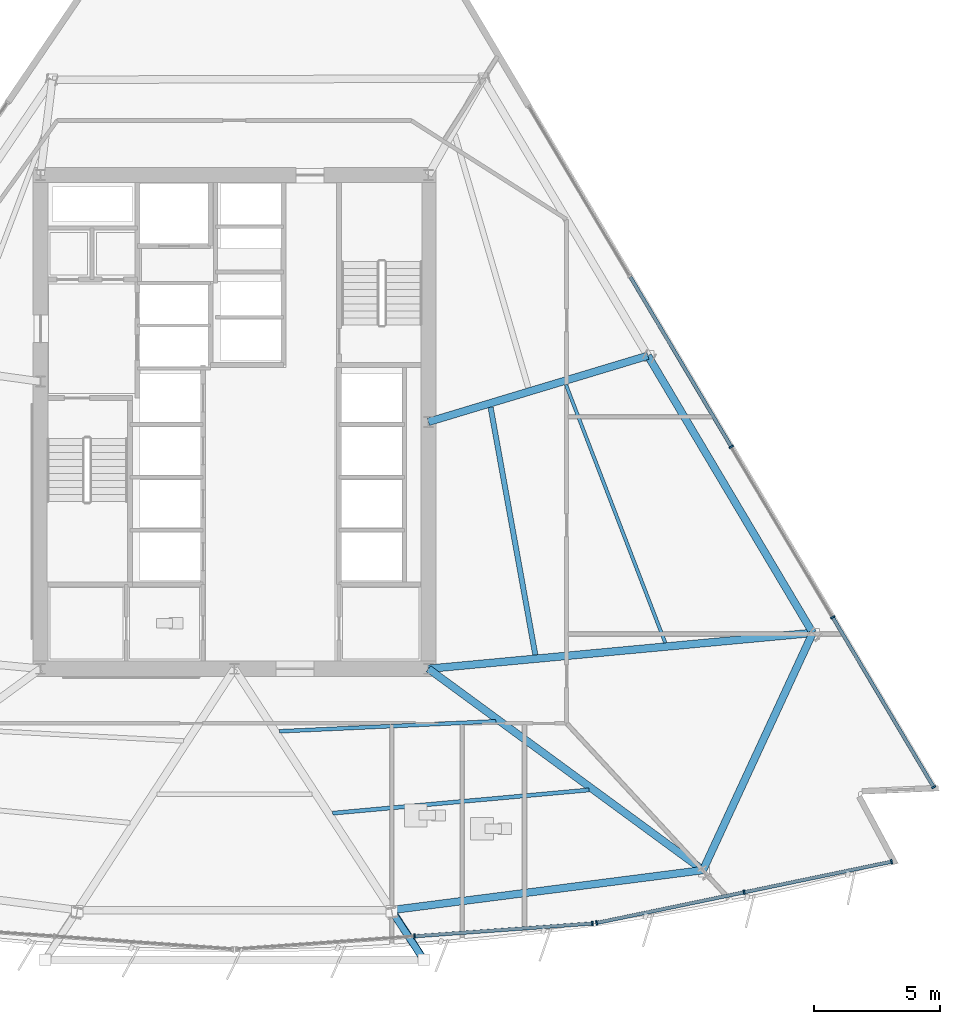
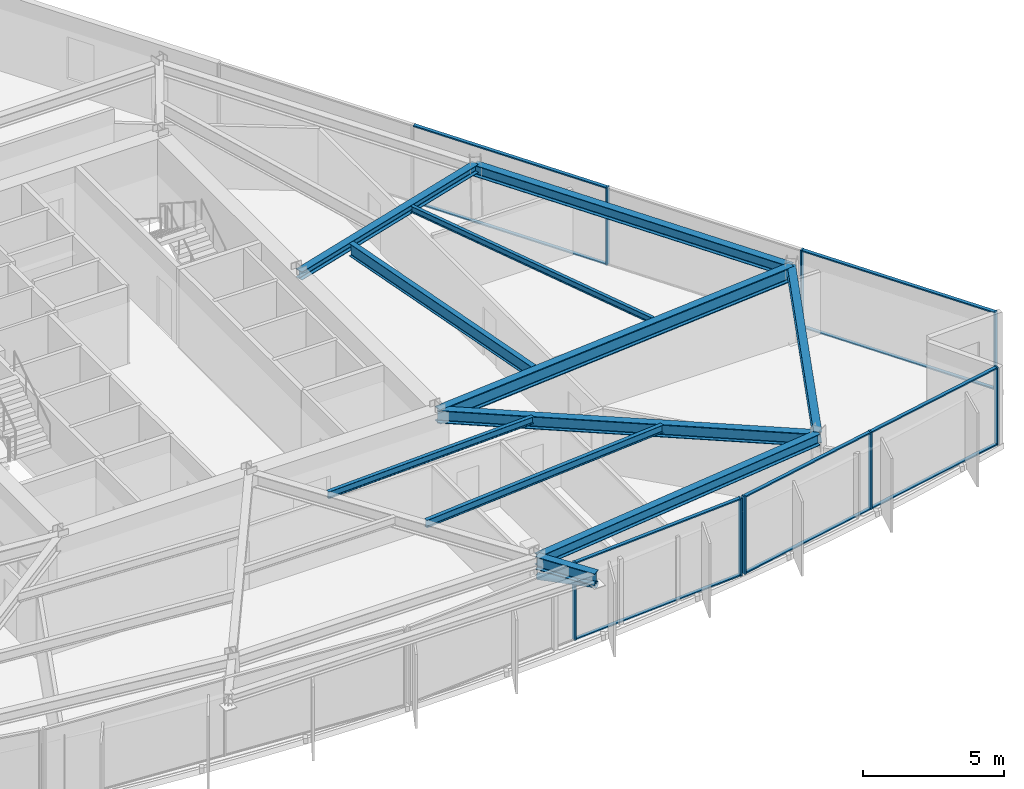
# One storey, part 4 of 15: 19 members, 11 beams, 3 elements without a shape of their own.
"""IFC4 building model written with IfcOpenShell, lengths in metres."""

from ifc_helpers import new_model, si_unit, direction, frame, origin, origin_2d, place, context, subcontext, project, spatial, rectangle, hollow_circle, i_section, extrude, material, material_profile, profile_set, type_object, element, aggregate, save


model = new_model("IFC4")

# Units and contexts
model_context = context("Model", 3, precision=1e-05, world=origin(), true_north=direction((0.0, 1.0)))
body_context = subcontext(model_context, "Body", "Model", "MODEL_VIEW")
ifc_project = project(units=[si_unit("LENGTHUNIT", "METRE"), si_unit("AREAUNIT", "SQUARE_METRE"), si_unit("VOLUMEUNIT", "CUBIC_METRE"), si_unit("PLANEANGLEUNIT", "RADIAN"), si_unit("MASSUNIT", "GRAM", prefix="KILO")], contexts=[model_context])

# Site, building, storey
site_placement = place(None, origin())
site = spatial("IfcSite", under=ifc_project, at=site_placement, CompositionType="ELEMENT")
building_placement = place(site_placement, origin())
building = spatial("IfcBuilding", under=site, at=building_placement, Name="Savorim Split Tower", CompositionType="ELEMENT")
storey_placement = place(building_placement, frame((0.0, 0.0, 111.300048828125)))
storey = spatial("IfcBuildingStorey", under=building, at=storey_placement, Name="L29", CompositionType="ELEMENT", Elevation=111.300048828125)

# Beams
ifc_material_1 = material(Name="Steel S355", Category="steel")
ifc_material_profile_1 = material_profile(ifc_material_1, i_section(OverallWidth=0.135009765625, OverallDepth=0.27001953125, WebThickness=0.006591796875, FlangeThickness=0.01025390625, FilletRadius=0.014892578125, at=origin_2d()), Name="IPE 270")
ifc_profile_set_1 = profile_set([ifc_material_profile_1], Name="Steel S355")
beam_type_1 = type_object("IfcBeamType", Name="BM-JST-IPE270", PredefinedType="JOIST", material=ifc_profile_set_1)
beam_1_placement = place(storey_placement, frame((17.101806640625, -8.367919921875, 3.21484375), z_axis=(-0.359020799912, 0.933329558747, 0.0), x_axis=(-0.933329558747, -0.359020799912, 0.0)))
element("IfcBeam", 1, at=beam_1_placement, inside=storey, type_object=beam_type_1, Name="L29 Secondary Floor Joist JS-06", PredefinedType="JOIST", context=body_context, shape_type="SweptSolid", body=[
    extrude(i_section(OverallWidth=0.135009765625, OverallDepth=0.27001953125, WebThickness=0.006591796875, FlangeThickness=0.01025390625, FilletRadius=0.014892578125, at=origin_2d()), origin(), (0.0, 0.0, 1.0), 10.9794921875),
])
ifc_material_profile_2 = material_profile(ifc_material_1, i_section(OverallWidth=0.14990234375, OverallDepth=0.300048828125, WebThickness=0.007080078125, FlangeThickness=0.0107421875, FilletRadius=0.014892578125, at=origin_2d()), Name="IPE 300")
ifc_profile_set_2 = profile_set([ifc_material_profile_2], Name="Steel S355")
beam_type_2 = type_object("IfcBeamType", Name="BM-JST-IPE300", PredefinedType="JOIST", material=ifc_profile_set_2)
beam_2_placement = place(storey_placement, frame((1.78076171875, -11.8837890625, 3.199951171875), z_axis=(0.998929560512, 0.046257249535, 0.0), x_axis=(-0.046257249535, 0.998929560512, 0.0)))
element("IfcBeam", 2, at=beam_2_placement, inside=storey, type_object=beam_type_2, Name="L29 Secondary Floor Joist JS-05", PredefinedType="JOIST", context=body_context, shape_type="SweptSolid", body=[
    extrude(i_section(OverallWidth=0.14990234375, OverallDepth=0.300048828125, WebThickness=0.007080078125, FlangeThickness=0.0107421875, FilletRadius=0.014892578125, at=origin_2d()), origin(), (0.0, 0.0, 1.0), 8.60302734375),
])
ifc_material_profile_3 = material_profile(ifc_material_1, i_section(OverallWidth=0.159912109375, OverallDepth=0.330078125, WebThickness=0.007568359375, FlangeThickness=0.011474609375, FilletRadius=0.01806640625, at=origin_2d()), Name="IPE 330")
ifc_profile_set_3 = profile_set([ifc_material_profile_3], Name="Steel S355")
beam_type_3 = type_object("IfcBeamType", Name="BM-JST-IPE330", PredefinedType="JOIST", material=ifc_profile_set_3)
beam_3_placement = place(storey_placement, frame((3.89990234375, -15.134521484375, 3.18505859375), z_axis=(0.995908655856, 0.090365641651, 0.0), x_axis=(-0.090365641651, 0.995908655856, 0.0)))
element("IfcBeam", 3, at=beam_3_placement, inside=storey, type_object=beam_type_3, Name="L29 Secondary Floor Joist JS-04", PredefinedType="JOIST", context=body_context, shape_type="SweptSolid", body=[
    extrude(i_section(OverallWidth=0.159912109375, OverallDepth=0.330078125, WebThickness=0.007568359375, FlangeThickness=0.011474609375, FilletRadius=0.01806640625, at=origin_2d()), origin(), (0.0, 0.0, 1.0), 10.22314453125),
])
ifc_material_profile_4 = material_profile(ifc_material_1, i_section(OverallWidth=0.2099609375, OverallDepth=0.550048828125, WebThickness=0.010986328125, FlangeThickness=0.01708984375, FilletRadius=0.02392578125, at=origin_2d()), Name="IPE 550")
ifc_profile_set_4 = profile_set([ifc_material_profile_4], Name="Steel S355")
beam_type_4 = type_object("IfcBeamType", Name="BM-JST-IPE550", PredefinedType="JOIST", material=ifc_profile_set_4)
beam_4_placement = place(storey_placement, frame((11.943359375, -8.843994140625, 3.074951171875), z_axis=(-0.177822021636, 0.984062664987, 0.0), x_axis=(-0.984062664987, -0.177822021636, 0.0)))
element("IfcBeam", 4, at=beam_4_placement, inside=storey, type_object=beam_type_4, Name="L29 Secondary Floor Joist JS-08", PredefinedType="JOIST", context=body_context, shape_type="SweptSolid", body=[
    extrude(i_section(OverallWidth=0.2099609375, OverallDepth=0.550048828125, WebThickness=0.010986328125, FlangeThickness=0.01708984375, FilletRadius=0.02392578125, at=origin_2d()), origin(), (0.0, 0.0, 1.0), 9.9814453125),
])
ifc_material_profile_5 = material_profile(ifc_material_1, i_section(OverallWidth=0.300048828125, OverallDepth=0.360107421875, WebThickness=0.012451171875, FlangeThickness=0.0224609375, FilletRadius=0.027099609375, at=origin_2d()), Name="HEB 360")
ifc_profile_set_5 = profile_set([ifc_material_profile_5], Name="Steel S355")
beam_type_5 = type_object("IfcBeamType", Name="BM-PRI-HEB360", PredefinedType="BEAM", material=ifc_profile_set_5)
beam_5_placement = place(storey_placement, frame((16.413818359375, 3.027099609375, 3.169921875), z_axis=(-0.957431132795, -0.288661784714, 0.0), x_axis=(0.288661784714, -0.957431132795, 0.0)))
element("IfcBeam", 5, at=beam_5_placement, inside=storey, type_object=beam_type_5, Name="L29 Primary Floor Girder RG-06", PredefinedType="BEAM", context=body_context, shape_type="SweptSolid", body=[
    extrude(i_section(OverallWidth=0.300048828125, OverallDepth=0.360107421875, WebThickness=0.012451171875, FlangeThickness=0.0224609375, FilletRadius=0.027099609375, at=origin_2d()), origin(), (0.0, 0.0, 1.0), 9.101318359375),
])
ifc_material_profile_6 = material_profile(ifc_material_1, i_section(OverallWidth=0.300048828125, OverallDepth=0.550048828125, WebThickness=0.014892578125, FlangeThickness=0.029052734375, FilletRadius=0.027099609375, at=origin_2d()), Name="HEB 550")
ifc_profile_set_6 = profile_set([ifc_material_profile_6], Name="Steel S355")
beam_type_6 = type_object("IfcBeamType", Name="BM-PRI-HEB550", PredefinedType="BEAM", material=ifc_profile_set_6)
beam_6_placement = place(storey_placement, frame((18.60107421875, -17.393798828125, 3.074951171875), z_axis=(-0.806414182543, 0.591351136123, 0.0), x_axis=(-0.591351136123, -0.806414182543, 0.0)))
element("IfcBeam", 6, at=beam_6_placement, inside=storey, type_object=beam_type_6, Name="L29 Primary Floor Girder RG-04", PredefinedType="BEAM", context=body_context, shape_type="SweptSolid", body=[
    extrude(i_section(OverallWidth=0.300048828125, OverallDepth=0.550048828125, WebThickness=0.014892578125, FlangeThickness=0.029052734375, FilletRadius=0.027099609375, at=origin_2d()), origin(), (0.0, 0.0, 1.0), 13.51806640625),
])
beam_7_placement = place(storey_placement, frame((6.234130859375, -18.981689453125, 3.074951171875), z_axis=(0.545411866461, -0.838168178782, 0.0), x_axis=(0.838168178782, 0.545411866461, 0.0)))
element("IfcBeam", 7, at=beam_7_placement, inside=storey, type_object=beam_type_6, Name="L29 Cantilevered Lounge Rib 2", PredefinedType="BEAM", context=body_context, shape_type="SweptSolid", body=[
    extrude(i_section(OverallWidth=0.300048828125, OverallDepth=0.550048828125, WebThickness=0.014892578125, FlangeThickness=0.029052734375, FilletRadius=0.027099609375, at=origin_2d()), origin(), (0.0, 0.0, 1.0), 2.35009765625),
])
ifc_material_2 = material(Name="Steel S460", Category="steel")
ifc_material_profile_7 = material_profile(ifc_material_2, i_section(OverallWidth=0.304931640625, OverallDepth=0.6201171875, WebThickness=0.02099609375, FlangeThickness=0.0400390625, FilletRadius=0.027099609375, at=origin_2d()), Name="HE 600 M")
ifc_profile_set_7 = profile_set([ifc_material_profile_7], Name="Steel S460")
beam_type_7 = type_object("IfcBeamType", Name="BM-PRI-HEM600", PredefinedType="BEAM", material=ifc_profile_set_7)
beam_8_placement = place(storey_placement, frame((22.956787109375, -7.976318359375, 3.0400390625), z_axis=(-0.995675034516, -0.092904389782, 0.0), x_axis=(0.092904389782, -0.995675034516, 0.0)))
element("IfcBeam", 8, at=beam_8_placement, inside=storey, type_object=beam_type_7, Name="L29 Primary Floor Girder RG-05", PredefinedType="BEAM", context=body_context, shape_type="SweptSolid", body=[
    extrude(i_section(OverallWidth=0.304931640625, OverallDepth=0.6201171875, WebThickness=0.02099609375, FlangeThickness=0.0400390625, FilletRadius=0.027099609375, at=origin_2d()), origin(), (0.0, 0.0, 1.0), 15.322998046875),
])
ifc_material_profile_8 = material_profile(ifc_material_1, i_section(OverallWidth=0.300048828125, OverallDepth=0.489990234375, WebThickness=0.011962890625, FlangeThickness=0.02294921875, FilletRadius=0.027099609375, at=origin_2d()), Name="HEA 500")
ifc_profile_set_8 = profile_set([ifc_material_profile_8], Name="Steel S355")
beam_type_8 = type_object("IfcBeamType", Name="BM-SPN-HEA500", PredefinedType="SPANDREL", material=ifc_profile_set_8)
beam_9_placement = place(storey_placement, frame((6.234130859375, -18.981689453125, 3.10498046875), z_axis=(0.991857519325, 0.127352508256, 0.0), x_axis=(-0.127352508256, 0.991857519325, 0.0)))
element("IfcBeam", 9, at=beam_9_placement, inside=storey, type_object=beam_type_8, Name="L29 Perimeter Spandrel Beam 3", PredefinedType="SPANDREL", context=body_context, shape_type="SweptSolid", body=[
    extrude(i_section(OverallWidth=0.300048828125, OverallDepth=0.489990234375, WebThickness=0.011962890625, FlangeThickness=0.02294921875, FilletRadius=0.027099609375, at=origin_2d()), origin(), (0.0, 0.0, 1.0), 12.468505859375),
])
beam_10_placement = place(storey_placement, frame((18.60107421875, -17.393798828125, 3.10498046875), z_axis=(0.419787682511, 0.90762233424, 0.0), x_axis=(-0.90762233424, 0.419787682511, 0.0)))
element("IfcBeam", 10, at=beam_10_placement, inside=storey, type_object=beam_type_8, Name="L29 Perimeter Spandrel Beam 4", PredefinedType="SPANDREL", context=body_context, shape_type="SweptSolid", body=[
    extrude(i_section(OverallWidth=0.300048828125, OverallDepth=0.489990234375, WebThickness=0.011962890625, FlangeThickness=0.02294921875, FilletRadius=0.027099609375, at=origin_2d()), origin(), (0.0, 0.0, 1.0), 10.3759765625),
])
beam_11_placement = place(storey_placement, frame((22.956787109375, -7.976318359375, 3.10498046875), z_axis=(-0.511098240642, 0.859522302452, 0.0), x_axis=(-0.859522302452, -0.511098240642, 0.0)))
element("IfcBeam", 11, at=beam_11_placement, inside=storey, type_object=beam_type_8, Name="L29 Perimeter Spandrel Beam 5", PredefinedType="SPANDREL", context=body_context, shape_type="SweptSolid", body=[
    extrude(i_section(OverallWidth=0.300048828125, OverallDepth=0.489990234375, WebThickness=0.011962890625, FlangeThickness=0.02294921875, FilletRadius=0.027099609375, at=origin_2d()), origin(), (0.0, 0.0, 1.0), 12.8017578125),
])

# Curtain wall, members
ifc_material_3 = material(Name="Dark Ceramic-Fritted Insulated Glass", Category="glass")
curtain_wall_type = type_object("IfcCurtainWallType", Name="CW-TWR-FRIT-A", PredefinedType="NOTDEFINED", material=ifc_material_3)
curtain_wall_1_placement = place(storey_placement, origin())
curtain_wall_1 = element("IfcCurtainWall", 12, at=curtain_wall_1_placement, inside=storey, type_object=curtain_wall_type, Name="L29 Curtain Wall CW-L29-SF3", PredefinedType="NOTDEFINED")
ifc_material_4 = material(Name="Charcoal Anodised Aluminium", Category="aluminium")
ifc_material_profile_9 = material_profile(ifc_material_4, rectangle(XDim=0.179931640625, YDim=0.06494140625, at=origin_2d()), Name="ALU-M 180x65")
ifc_profile_set_9 = profile_set([ifc_material_profile_9], Name="Charcoal Anodised Aluminium")
member_type_1 = type_object("IfcMemberType", Name="CWM-180x65", PredefinedType="MULLION", material=ifc_profile_set_9)
member_1_placement = place(storey_placement, frame((7.14697265625, -20.01806640625, 0.0), z_axis=(0.0, 0.0, 1.0), x_axis=(-0.071557228472, 0.99743649575, 0.0)))
member_1 = element("IfcMember", 13, at=member_1_placement, type_object=member_type_1, Name="CW-02 mullion 2", PredefinedType="MULLION", context=body_context, shape_type="SweptSolid", body=[
    extrude(rectangle(XDim=0.179931640625, YDim=0.06494140625, at=origin_2d()), origin(), (0.0, 0.0, 1.0), 3.349853515625),
])
member_2_placement = place(storey_placement, frame((14.210205078125, -19.511474609375, 0.0), z_axis=(0.0, 0.0, 1.0), x_axis=(-0.071557228472, 0.99743649575, 0.0)))
member_2 = element("IfcMember", 14, at=member_2_placement, type_object=member_type_1, Name="CW-02 mullion 3", PredefinedType="MULLION", context=body_context, shape_type="SweptSolid", body=[
    extrude(rectangle(XDim=0.179931640625, YDim=0.06494140625, at=origin_2d()), origin(), (0.0, 0.0, 1.0), 3.349853515625),
])

curtain_wall_2_placement = place(storey_placement, origin())
curtain_wall_2 = element("IfcCurtainWall", 15, at=curtain_wall_2_placement, inside=storey, type_object=curtain_wall_type, Name="L29 Curtain Wall CW-L29-SF4", PredefinedType="NOTDEFINED")
member_3_placement = place(storey_placement, frame((14.377197265625, -19.48828125, 0.0), z_axis=(0.0, 0.0, 1.0), x_axis=(-0.203214049179, 0.979134337165, 0.0)))
member_3 = element("IfcMember", 16, at=member_3_placement, type_object=member_type_1, Name="CW-02 mullion 1", PredefinedType="MULLION", context=body_context, shape_type="SweptSolid", body=[
    extrude(rectangle(XDim=0.179931640625, YDim=0.06494140625, at=origin_2d()), origin(), (0.0, 0.0, 1.0), 3.349853515625),
])
member_4_placement = place(storey_placement, frame((20.23046875, -18.2734375, 0.0), z_axis=(0.0, 0.0, 1.0), x_axis=(-0.203214049179, 0.979134337165, 0.0)))
member_4 = element("IfcMember", 17, at=member_4_placement, type_object=member_type_1, Name="CW-02 mullion 2", PredefinedType="MULLION", context=body_context, shape_type="SweptSolid", body=[
    extrude(rectangle(XDim=0.179931640625, YDim=0.06494140625, at=origin_2d()), origin(), (0.0, 0.0, 1.0), 3.349853515625),
])
member_5_placement = place(storey_placement, frame((26.08349609375, -17.05859375, 0.0), z_axis=(0.0, 0.0, 1.0), x_axis=(-0.203214049179, 0.979134337165, 0.0)))
member_5 = element("IfcMember", 18, at=member_5_placement, type_object=member_type_1, Name="CW-02 mullion 3", PredefinedType="MULLION", context=body_context, shape_type="SweptSolid", body=[
    extrude(rectangle(XDim=0.179931640625, YDim=0.06494140625, at=origin_2d()), origin(), (0.0, 0.0, 1.0), 3.349853515625),
])

curtain_wall_3_placement = place(storey_placement, origin())
curtain_wall_3 = element("IfcCurtainWall", 19, at=curtain_wall_3_placement, inside=storey, type_object=curtain_wall_type, Name="L29 Curtain Wall CW-L29-EAST", PredefinedType="NOTDEFINED")
member_6_placement = place(storey_placement, frame((27.75634765625, -14.09765625, 0.0), z_axis=(0.0, 0.0, 1.0), x_axis=(-0.859525409745, -0.51109301502, 0.0)))
member_6 = element("IfcMember", 20, at=member_6_placement, type_object=member_type_1, Name="CW-02 mullion 1", PredefinedType="MULLION", context=body_context, shape_type="SweptSolid", body=[
    extrude(rectangle(XDim=0.179931640625, YDim=0.06494140625, at=origin_2d()), origin(), (0.0, 0.0, 1.0), 3.349853515625),
])
member_7_placement = place(storey_placement, frame((23.748046875, -7.356689453125, 0.0), z_axis=(0.0, 0.0, 1.0), x_axis=(-0.859525409745, -0.51109301502, 0.0)))
member_7 = element("IfcMember", 21, at=member_7_placement, type_object=member_type_1, Name="CW-02 mullion 2", PredefinedType="MULLION", context=body_context, shape_type="SweptSolid", body=[
    extrude(rectangle(XDim=0.179931640625, YDim=0.06494140625, at=origin_2d()), origin(), (0.0, 0.0, 1.0), 3.349853515625),
])
member_8_placement = place(storey_placement, frame((19.72314453125, -0.587890625, 0.0), z_axis=(0.0, 0.0, 1.0), x_axis=(-0.859525409745, -0.51109301502, 0.0)))
member_8 = element("IfcMember", 22, at=member_8_placement, type_object=member_type_1, Name="CW-02 mullion 3", PredefinedType="MULLION", context=body_context, shape_type="SweptSolid", body=[
    extrude(rectangle(XDim=0.179931640625, YDim=0.06494140625, at=origin_2d()), origin(), (0.0, 0.0, 1.0), 3.349853515625),
])

# Member
ifc_material_profile_10 = material_profile(ifc_material_4, rectangle(XDim=0.139892578125, YDim=0.054931640625, at=origin_2d()), Name="ALU-T 140x55")
ifc_profile_set_10 = profile_set([ifc_material_profile_10], Name="Charcoal Anodised Aluminium")
member_type_2 = type_object("IfcMemberType", Name="CWT-140x55", PredefinedType="USERDEFINED", material=ifc_profile_set_10)
member_9_placement = place(storey_placement, frame((7.179443359375, -20.015869140625, 0.02734375), z_axis=(0.99743515371, 0.071575932712, 0.0), x_axis=(-0.071575932712, 0.99743515371, 0.0)))
member_9 = element("IfcMember", 23, at=member_9_placement, type_object=member_type_2, Name="CW-02 transom 2.1", ObjectType="TRANSOM", PredefinedType="USERDEFINED", context=body_context, shape_type="SweptSolid", body=[
    extrude(rectangle(XDim=0.139892578125, YDim=0.054931640625, at=origin_2d()), origin(), (0.0, 0.0, 1.0), 7.016357421875),
])

member_10_placement = place(storey_placement, frame((7.179443359375, -20.015869140625, 3.322509765625), z_axis=(0.99743515371, 0.071575932712, 0.0), x_axis=(-0.071575932712, 0.99743515371, 0.0)))
member_10 = element("IfcMember", 24, at=member_10_placement, type_object=member_type_2, Name="CW-02 transom 2.2", ObjectType="TRANSOM", PredefinedType="USERDEFINED", context=body_context, shape_type="SweptSolid", body=[
    extrude(rectangle(XDim=0.139892578125, YDim=0.054931640625, at=origin_2d()), origin(), (0.0, 0.0, 1.0), 7.016357421875),
])

aggregate(curtain_wall_1, [member_1, member_2, member_9, member_10])

member_11_placement = place(storey_placement, frame((14.408935546875, -19.481689453125, 0.02734375), z_axis=(0.979131977298, 0.203225419257, 0.0), x_axis=(-0.203225419257, 0.979131977298, 0.0)))
member_11 = element("IfcMember", 25, at=member_11_placement, type_object=member_type_2, Name="CW-02 transom 1.1", ObjectType="TRANSOM", PredefinedType="USERDEFINED", context=body_context, shape_type="SweptSolid", body=[
    extrude(rectangle(XDim=0.139892578125, YDim=0.054931640625, at=origin_2d()), origin(), (0.0, 0.0, 1.0), 5.912841796875),
])

member_12_placement = place(storey_placement, frame((14.408935546875, -19.481689453125, 3.322509765625), z_axis=(0.979131977298, 0.203225419257, 0.0), x_axis=(-0.203225419257, 0.979131977298, 0.0)))
member_12 = element("IfcMember", 26, at=member_12_placement, type_object=member_type_2, Name="CW-02 transom 1.2", ObjectType="TRANSOM", PredefinedType="USERDEFINED", context=body_context, shape_type="SweptSolid", body=[
    extrude(rectangle(XDim=0.139892578125, YDim=0.054931640625, at=origin_2d()), origin(), (0.0, 0.0, 1.0), 5.912841796875),
])

member_13_placement = place(storey_placement, frame((20.26220703125, -18.266845703125, 0.02734375), z_axis=(0.979131977298, 0.203225419257, 0.0), x_axis=(-0.203225419257, 0.979131977298, 0.0)))
member_13 = element("IfcMember", 27, at=member_13_placement, type_object=member_type_2, Name="CW-02 transom 2.1", ObjectType="TRANSOM", PredefinedType="USERDEFINED", context=body_context, shape_type="SweptSolid", body=[
    extrude(rectangle(XDim=0.139892578125, YDim=0.054931640625, at=origin_2d()), origin(), (0.0, 0.0, 1.0), 5.912841796875),
])

member_14_placement = place(storey_placement, frame((20.26220703125, -18.266845703125, 3.322509765625), z_axis=(0.979131977298, 0.203225419257, 0.0), x_axis=(-0.203225419257, 0.979131977298, 0.0)))
member_14 = element("IfcMember", 28, at=member_14_placement, type_object=member_type_2, Name="CW-02 transom 2.2", ObjectType="TRANSOM", PredefinedType="USERDEFINED", context=body_context, shape_type="SweptSolid", body=[
    extrude(rectangle(XDim=0.139892578125, YDim=0.054931640625, at=origin_2d()), origin(), (0.0, 0.0, 1.0), 5.912841796875),
])

aggregate(curtain_wall_2, [member_3, member_4, member_5, member_11, member_12, member_13, member_14])

member_15_placement = place(storey_placement, frame((27.73974609375, -14.069580078125, 0.02734375), z_axis=(-0.511107986277, 0.859516507325, 0.0), x_axis=(-0.859516507325, -0.511107986277, 0.0)))
member_15 = element("IfcMember", 29, at=member_15_placement, type_object=member_type_2, Name="CW-02 transom 1.1", ObjectType="TRANSOM", PredefinedType="USERDEFINED", context=body_context, shape_type="SweptSolid", body=[
    extrude(rectangle(XDim=0.139892578125, YDim=0.054931640625, at=origin_2d()), origin(), (0.0, 0.0, 1.0), 7.77734375),
])

member_16_placement = place(storey_placement, frame((27.73974609375, -14.069580078125, 3.322509765625), z_axis=(-0.511107986277, 0.859516507325, 0.0), x_axis=(-0.859516507325, -0.511107986277, 0.0)))
member_16 = element("IfcMember", 30, at=member_16_placement, type_object=member_type_2, Name="CW-02 transom 1.2", ObjectType="TRANSOM", PredefinedType="USERDEFINED", context=body_context, shape_type="SweptSolid", body=[
    extrude(rectangle(XDim=0.139892578125, YDim=0.054931640625, at=origin_2d()), origin(), (0.0, 0.0, 1.0), 7.77734375),
])

member_17_placement = place(storey_placement, frame((19.70654296875, -0.56005859375, 0.02734375), z_axis=(-0.511099111731, 0.859521784475, 0.0), x_axis=(-0.859521784475, -0.511099111731, 0.0)))
member_17 = element("IfcMember", 31, at=member_17_placement, type_object=member_type_2, Name="CW-02 transom 3.1", ObjectType="TRANSOM", PredefinedType="USERDEFINED", context=body_context, shape_type="SweptSolid", body=[
    extrude(rectangle(XDim=0.139892578125, YDim=0.054931640625, at=origin_2d()), origin(), (0.0, 0.0, 1.0), 7.81005859375),
])

member_18_placement = place(storey_placement, frame((19.70654296875, -0.56005859375, 3.322509765625), z_axis=(-0.511099111731, 0.859521784475, 0.0), x_axis=(-0.859521784475, -0.511099111731, 0.0)))
member_18 = element("IfcMember", 32, at=member_18_placement, type_object=member_type_2, Name="CW-02 transom 3.2", ObjectType="TRANSOM", PredefinedType="USERDEFINED", context=body_context, shape_type="SweptSolid", body=[
    extrude(rectangle(XDim=0.139892578125, YDim=0.054931640625, at=origin_2d()), origin(), (0.0, 0.0, 1.0), 7.81005859375),
])

aggregate(curtain_wall_3, [member_6, member_7, member_8, member_15, member_16, member_17, member_18])

ifc_material_profile_11 = material_profile(ifc_material_1, hollow_circle(Radius=0.136474609375, WallThickness=0.01611328125, at=origin_2d()), Name="CHS 273x16")
ifc_profile_set_11 = profile_set([ifc_material_profile_11], Name="Steel S355")
member_type_3 = type_object("IfcMemberType", Name="MBR-CRN-CHS273", PredefinedType="BRACE", material=ifc_profile_set_11)
member_19_placement = place(storey_placement, frame((6.2421875, -19.022216796875, 2.449951171875), z_axis=(0.544037153873, -0.824033273894, 0.158090919163), x_axis=(0.834527828707, 0.550965791238, 0.0)))
element("IfcMember", 33, at=member_19_placement, inside=storey, type_object=member_type_3, Name="L29 Cantilevered Bay Support Strut 2", PredefinedType="BRACE", context=body_context, shape_type="SweptSolid", body=[
    extrude(hollow_circle(Radius=0.136474609375, WallThickness=0.01611328125, at=origin_2d()), origin(), (0.0, 0.0, 1.0), 2.341064453125),
])

save(model, "model.ifc")
